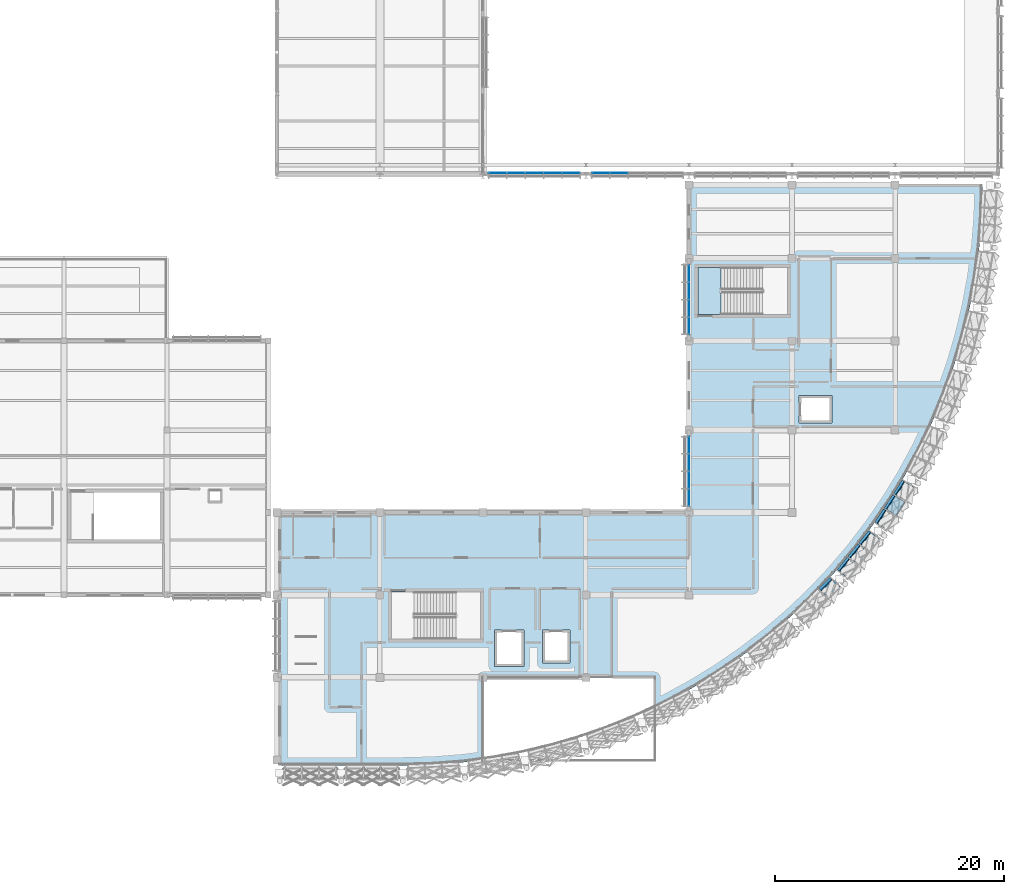
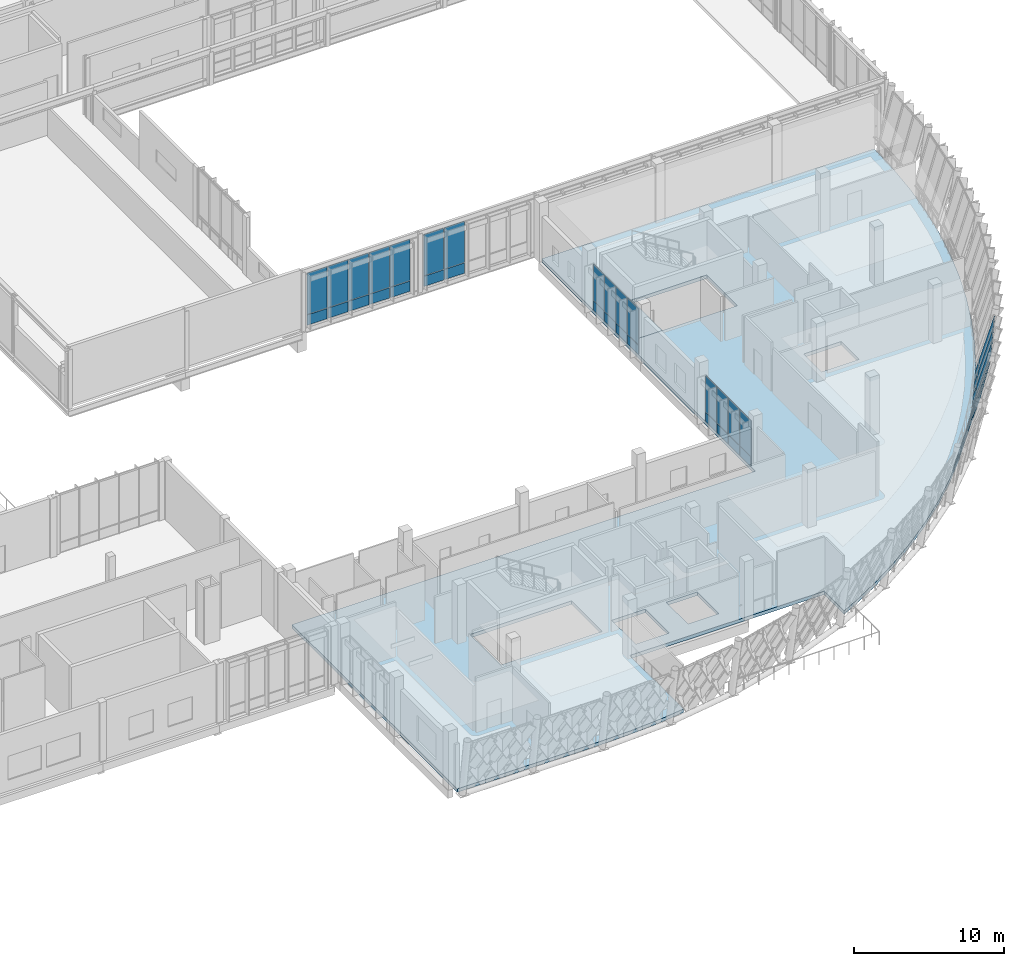
# One storey, part 139 of 177: 44 plates, 2 slabs, 7 elements without a shape of their own.
"""IFC4 building model written with IfcOpenShell, lengths in metres."""

from ifc_helpers import new_model, si_unit, direction, frame, origin, origin_2d, place, context, subcontext, project, spatial, polyline, rectangle, outline, extrude, material, layer, layer_set, type_object, element, aggregate, save


model = new_model("IFC4")

# Units and contexts
model_context = context("Model", 3, precision=1e-05, world=origin(), true_north=direction((0.0, 1.0)))
body_context = subcontext(model_context, "Body", "Model", "MODEL_VIEW")
ifc_project = project(units=[si_unit("LENGTHUNIT", "METRE"), si_unit("AREAUNIT", "SQUARE_METRE"), si_unit("VOLUMEUNIT", "CUBIC_METRE"), si_unit("PLANEANGLEUNIT", "RADIAN"), si_unit("MASSUNIT", "GRAM", prefix="KILO")], contexts=[model_context])

# Site, building, storey
site_placement = place(None, origin())
site = spatial("IfcSite", under=ifc_project, at=site_placement, CompositionType="ELEMENT")
building_placement = place(site_placement, origin())
building = spatial("IfcBuilding", under=site, at=building_placement, Name="Chiffa Square Polytechnic", CompositionType="ELEMENT")
storey_placement = place(building_placement, frame((0.0, 0.0, 4.800048828125)))
storey = spatial("IfcBuildingStorey", under=building, at=storey_placement, Name="L01", CompositionType="ELEMENT", Elevation=4.800048828125)

# Curtain wall, plates
ifc_material_1 = material(Name="Aluminium EN AW-6060 T66 and glulam shading", Category="wood")
curtain_wall_type_1 = type_object("IfcCurtainWallType", Name="CW-PROW-LEAN-300", PredefinedType="USERDEFINED", material=ifc_material_1)
curtain_wall_1_placement = place(storey_placement, origin())
curtain_wall_1 = element("IfcCurtainWall", 1, at=curtain_wall_1_placement, inside=storey, type_object=curtain_wall_type_1, Name="Outward-leaning diamond-fin prow curtain wall CW-V1-L01-021", ObjectType="CURTAIN WALL", PredefinedType="USERDEFINED")
ifc_material_2 = material(Name="Double glazing", Category="glass")
ifc_layer_1 = layer(ifc_material_2, 0.0439453125, Name="Double glazing")
ifc_layer_set_1 = layer_set([ifc_layer_1], Name="Double glazing")
plate_type_1 = type_object("IfcPlateType", Name="CWP-GLZ-132X114", PredefinedType="CURTAIN_PANEL", material=ifc_layer_set_1)
plate_1_placement = place(storey_placement, frame((164.63427734375, 27.84375, 0.8779296875), z_axis=(-0.806963297843, 0.524194215552, 0.272085759122), x_axis=(0.5447522944, 0.838597005125, 2.7229398e-05)))
plate_1 = element("IfcPlate", 2, at=plate_1_placement, type_object=plate_type_1, Name="Leaning prow curtain panel CW-V1-L01-021-PN01", PredefinedType="CURTAIN_PANEL", context=body_context, shape_type="SweptSolid", body=[
    extrude(outline(polyline([(0.0, 0.0), (1.3814975861701602, -2.7755575615628914e-17), (1.3626428683951688, -3.696551579918796), (-0.051565564155830315, -3.696630689892755), (0.0, 0.0)])), origin(), (0.0, 0.0, -1.0), 0.0439453125),
])
plate_2_placement = place(storey_placement, frame((165.4453125, 29.092041015625, 0.8779296875), z_axis=(-0.806949606169, 0.52423991286, 0.272038318749), x_axis=(0.544789235115, 0.838573007606, 1.4771034e-05)))
plate_2 = element("IfcPlate", 3, at=plate_2_placement, type_object=plate_type_1, Name="Leaning prow curtain panel CW-V1-L01-021-PN02", PredefinedType="CURTAIN_PANEL", context=body_context, shape_type="SweptSolid", body=[
    extrude(outline(polyline([(0.0, 0.0), (1.3814975910517366, -2.7755575615628914e-17), (1.3977895597719325, -3.696517157294697), (-0.016214135230024563, -3.6965600680581403), (0.0, 0.0)])), origin(), (0.0, 0.0, -1.0), 0.0439453125),
])
plate_3_placement = place(storey_placement, frame((166.25634765625, 30.34033203125, 0.8779296875), z_axis=(-0.806985792166, 0.524208827609, 0.271990875397), x_axis=(0.544752289898, 0.83859700805, 2.7220661e-05)))
plate_3 = element("IfcPlate", 4, at=plate_3_placement, type_object=plate_type_1, Name="Leaning prow curtain panel CW-V1-L01-021-PN03", PredefinedType="CURTAIN_PANEL", context=body_context, shape_type="SweptSolid", body=[
    extrude(outline(polyline([(0.0, 0.0), (1.3814975861697742, -5.551115123125783e-17), (1.4331409838168365, -3.6964465585866537), (0.018932551264671575, -3.6965256409728067), (0.0, 0.0)])), origin(), (0.0, 0.0, -1.0), 0.0439453125),
])

curtain_wall_type_2 = type_object("IfcCurtainWallType", Name="CW-PROW-LEAN-150", PredefinedType="USERDEFINED", material=ifc_material_1)
curtain_wall_2_placement = place(storey_placement, origin())
curtain_wall_2 = element("IfcCurtainWall", 5, at=curtain_wall_2_placement, inside=storey, type_object=curtain_wall_type_2, Name="Outward-leaning diamond-fin prow curtain wall CW-V1-L01-020", ObjectType="CURTAIN WALL", PredefinedType="USERDEFINED")
ifc_layer_2 = layer(ifc_material_2, 0.0439453125, Name="Double glazing")
ifc_layer_set_2 = layer_set([ifc_layer_2], Name="Double glazing")
plate_type_2 = type_object("IfcPlateType", Name="CWP-GLZ-134X118", PredefinedType="CURTAIN_PANEL", material=ifc_layer_set_2)
plate_4_placement = place(storey_placement, frame((161.3232421875, 23.673583984375, 0.8779296875), z_axis=(-0.74785835056, 0.605597205897, 0.271955716445), x_axis=(0.629306799885, 0.777156965969, -4.3175324e-05)))
plate_4 = element("IfcPlate", 6, at=plate_4_placement, type_object=plate_type_2, Name="Leaning prow curtain panel CW-V1-L01-020-PN01", PredefinedType="CURTAIN_PANEL", context=body_context, shape_type="SweptSolid", body=[
    extrude(outline(polyline([(0.0, 0.0), (1.3817565936740297, -2.7755575615628914e-17), (1.3626954840589298, -3.6965100692373536), (-0.05147348474182834, -3.696384626270429), (0.0, 0.0)])), origin(), (0.0, 0.0, -1.0), 0.0439453125),
])
plate_5_placement = place(storey_placement, frame((162.26025390625, 24.830810546875, 0.8779296875), z_axis=(-0.747893027723, 0.605541253682, 0.271984942914), x_axis=(0.629250059583, 0.777202907064, -6.1365355e-05)))
plate_5 = element("IfcPlate", 7, at=plate_5_placement, type_object=plate_type_2, Name="Leaning prow curtain panel CW-V1-L01-020-PN02", PredefinedType="CURTAIN_PANEL", context=body_context, shape_type="SweptSolid", body=[
    extrude(outline(polyline([(0.0, 0.0), (1.3816029785866726, 0.0), (1.3974455721293295, -3.6965697772265225), (-0.01672337365575362, -3.6963914926279777), (0.0, 0.0)])), origin(), (0.0, 0.0, -1.0), 0.0439453125),
])
plate_6_placement = place(storey_placement, frame((163.197021484375, 25.988037109375, 0.8779296875), z_axis=(-0.747918647892, 0.605493964353, 0.272019769993), x_axis=(0.629218410647, 0.777228532403, -1.1037333e-05)))
plate_6 = element("IfcPlate", 8, at=plate_6_placement, type_object=plate_type_2, Name="Leaning prow curtain panel CW-V1-L01-020-PN03", PredefinedType="CURTAIN_PANEL", context=body_context, shape_type="SweptSolid", body=[
    extrude(outline(polyline([(0.0, 0.0), (1.3817566099496996, 0.0), (1.4328152143280317, -3.696534904760729), (0.01861014604536337, -3.6965028355217493), (0.0, 0.0)])), origin(), (0.0, 0.0, -1.0), 0.0439453125),
])

# Curtain wall, plate
curtain_wall_3_placement = place(storey_placement, origin())
curtain_wall_3 = element("IfcCurtainWall", 9, at=curtain_wall_3_placement, inside=storey, type_object=curtain_wall_type_1, Name="Outward-leaning diamond-fin prow curtain wall CW-V1-L01-019", ObjectType="CURTAIN WALL", PredefinedType="USERDEFINED")
ifc_layer_3 = layer(ifc_material_2, 0.0419921875, Name="Double glazing")
ifc_layer_set_3 = layer_set([ifc_layer_3], Name="Double glazing")
plate_type_3 = type_object("IfcPlateType", Name="CWP-GLZ-136X122", PredefinedType="CURTAIN_PANEL", material=ifc_layer_set_3)
plate_7_placement = place(storey_placement, frame((159.69970703125, 21.97900390625, 0.8779296875), z_axis=(-0.680474325731, 0.680474325731, 0.271862803712), x_axis=(0.707113311058, 0.707100250499, 3.2690662e-05)))
plate_7 = element("IfcPlate", 10, at=plate_7_placement, type_object=plate_type_3, Name="Leaning prow curtain panel CW-V1-L01-019-PN03", PredefinedType="CURTAIN_PANEL", context=body_context, shape_type="SweptSolid", body=[
    extrude(outline(polyline([(0.0, 0.0), (1.3815858332766306, -8.326672684688674e-17), (1.4331561774769983, -3.6962994031816487), (0.018769984022787792, -3.6963943826636285), (0.0, 0.0)])), origin(), (0.0, 0.0, -1.0), 0.0419921875),
])

# Curtain wall, plates
curtain_wall_type_3 = type_object("IfcCurtainWallType", Name="CW-VERT-450X440", PredefinedType="USERDEFINED", material=ifc_material_1)
curtain_wall_4_placement = place(storey_placement, origin())
curtain_wall_4 = element("IfcCurtainWall", 11, at=curtain_wall_4_placement, inside=storey, type_object=curtain_wall_type_3, Name="Curtain wall CW-V1-L01-128", ObjectType="CURTAIN WALL", PredefinedType="USERDEFINED")
ifc_layer_4 = layer(ifc_material_2, 0.0400390625, Name="Double glazing")
ifc_layer_set_4 = layer_set([ifc_layer_4], Name="Double glazing")
plate_type_4 = type_object("IfcPlateType", Name="CWP-GLZ-144X134", PredefinedType="CURTAIN_PANEL", material=ifc_layer_set_4)
plate_8_placement = place(storey_placement, frame((148.199951171875, 34.68408203125, 0.84033203125), z_axis=(0.0, 0.0, 1.0), x_axis=(0.0, -1.0, 0.0)))
plate_8 = element("IfcPlate", 12, at=plate_8_placement, type_object=plate_type_4, Name="Glazed curtain panel CW-V1-L01-128-PN01", PredefinedType="CURTAIN_PANEL", context=body_context, shape_type="SweptSolid", body=[
    extrude(rectangle(XDim=1.4560546875, YDim=0.0400390625, at=origin_2d()), origin(), (0.0, 0.0, 1.0), 2.925048828125),
])
plate_9_placement = place(storey_placement, frame((148.199951171875, 33.1650390625, 0.84033203125), z_axis=(0.0, 0.0, 1.0), x_axis=(0.0, -1.0, 0.0)))
plate_9 = element("IfcPlate", 13, at=plate_9_placement, type_object=plate_type_4, Name="Glazed curtain panel CW-V1-L01-128-PN02", PredefinedType="CURTAIN_PANEL", context=body_context, shape_type="SweptSolid", body=[
    extrude(rectangle(XDim=1.47802734375, YDim=0.0400390625, at=origin_2d()), origin(), (0.0, 0.0, 1.0), 2.925048828125),
])
plate_10_placement = place(storey_placement, frame((148.199951171875, 31.635009765625, 0.84033203125), z_axis=(0.0, 0.0, 1.0), x_axis=(0.0, -1.0, 0.0)))
plate_10 = element("IfcPlate", 14, at=plate_10_placement, type_object=plate_type_4, Name="Glazed curtain panel CW-V1-L01-128-PN03", PredefinedType="CURTAIN_PANEL", context=body_context, shape_type="SweptSolid", body=[
    extrude(rectangle(XDim=1.47802734375, YDim=0.0400390625, at=origin_2d()), origin(), (0.0, 0.0, 1.0), 2.925048828125),
])
plate_11_placement = place(storey_placement, frame((148.199951171875, 30.115966796875, 0.84033203125), z_axis=(0.0, 0.0, 1.0), x_axis=(0.0, -1.0, 0.0)))
plate_11 = element("IfcPlate", 15, at=plate_11_placement, type_object=plate_type_4, Name="Glazed curtain panel CW-V1-L01-128-PN04", PredefinedType="CURTAIN_PANEL", context=body_context, shape_type="SweptSolid", body=[
    extrude(rectangle(XDim=1.4560546875, YDim=0.0400390625, at=origin_2d()), origin(), (0.0, 0.0, 1.0), 2.925048828125),
])

curtain_wall_type_4 = type_object("IfcCurtainWallType", Name="CW-VERT-540X440", PredefinedType="USERDEFINED", material=ifc_material_1)
curtain_wall_5_placement = place(storey_placement, origin())
curtain_wall_5 = element("IfcCurtainWall", 16, at=curtain_wall_5_placement, inside=storey, type_object=curtain_wall_type_4, Name="Curtain wall CW-V1-L01-127", ObjectType="CURTAIN WALL", PredefinedType="USERDEFINED")
ifc_layer_5 = layer(ifc_material_2, 0.0380859375, Name="Double glazing")
ifc_layer_set_5 = layer_set([ifc_layer_5], Name="Double glazing")
plate_type_5 = type_object("IfcPlateType", Name="CWP-GLZ-146X138", PredefinedType="CURTAIN_PANEL", material=ifc_layer_set_5)
plate_12_placement = place(storey_placement, frame((148.199951171875, 49.68408203125, 0.84033203125), z_axis=(0.0, 0.0, 1.0), x_axis=(0.0, -1.0, 0.0)))
plate_12 = element("IfcPlate", 17, at=plate_12_placement, type_object=plate_type_5, Name="Glazed curtain panel CW-V1-L01-127-PN01", PredefinedType="CURTAIN_PANEL", context=body_context, shape_type="SweptSolid", body=[
    extrude(rectangle(XDim=1.4560546875, YDim=0.0380859375, at=origin_2d()), origin(), (0.0, 0.0, 1.0), 2.925048828125),
])
plate_13_placement = place(storey_placement, frame((148.199951171875, 48.1650390625, 0.84033203125), z_axis=(0.0, 0.0, 1.0), x_axis=(0.0, -1.0, 0.0)))
plate_13 = element("IfcPlate", 18, at=plate_13_placement, type_object=plate_type_5, Name="Glazed curtain panel CW-V1-L01-127-PN02", PredefinedType="CURTAIN_PANEL", context=body_context, shape_type="SweptSolid", body=[
    extrude(rectangle(XDim=1.47802734375, YDim=0.0380859375, at=origin_2d()), origin(), (0.0, 0.0, 1.0), 2.925048828125),
])
plate_14_placement = place(storey_placement, frame((148.199951171875, 46.635009765625, 0.84033203125), z_axis=(0.0, 0.0, 1.0), x_axis=(0.0, -1.0, 0.0)))
plate_14 = element("IfcPlate", 19, at=plate_14_placement, type_object=plate_type_5, Name="Glazed curtain panel CW-V1-L01-127-PN03", PredefinedType="CURTAIN_PANEL", context=body_context, shape_type="SweptSolid", body=[
    extrude(rectangle(XDim=1.47802734375, YDim=0.0380859375, at=origin_2d()), origin(), (0.0, 0.0, 1.0), 2.925048828125),
])
plate_15_placement = place(storey_placement, frame((148.199951171875, 45.115966796875, 0.84033203125), z_axis=(0.0, 0.0, 1.0), x_axis=(0.0, -1.0, 0.0)))
plate_15 = element("IfcPlate", 20, at=plate_15_placement, type_object=plate_type_5, Name="Glazed curtain panel CW-V1-L01-127-PN04", PredefinedType="CURTAIN_PANEL", context=body_context, shape_type="SweptSolid", body=[
    extrude(rectangle(XDim=1.4560546875, YDim=0.0380859375, at=origin_2d()), origin(), (0.0, 0.0, 1.0), 2.925048828125),
])

curtain_wall_type_5 = type_object("IfcCurtainWallType", Name="CW-VERT-600X440", PredefinedType="USERDEFINED", material=ifc_material_1)
curtain_wall_6_placement = place(storey_placement, origin())
curtain_wall_6 = element("IfcCurtainWall", 21, at=curtain_wall_6_placement, inside=storey, type_object=curtain_wall_type_5, Name="Curtain wall CW-V2-L01S-01", ObjectType="CURTAIN WALL", PredefinedType="USERDEFINED")
ifc_layer_6 = layer(ifc_material_2, 0.035888671875, Name="Double glazing")
ifc_layer_set_6 = layer_set([ifc_layer_6], Name="Double glazing")
plate_type_6 = type_object("IfcPlateType", Name="CWP-GLZ-150X145", PredefinedType="CURTAIN_PANEL", material=ifc_layer_set_6)
plate_16_placement = place(storey_placement, frame((131.4951171875, 58.449951171875, 0.91943359375), z_axis=(0.0, 0.0, 1.0), x_axis=(1.0, 0.0, 0.0)))
plate_16 = element("IfcPlate", 22, at=plate_16_placement, type_object=plate_type_6, Name="Glazed curtain panel CW-V2-L01S-01-PN01", PredefinedType="CURTAIN_PANEL", context=body_context, shape_type="SweptSolid", body=[
    extrude(rectangle(XDim=1.533935546875, YDim=0.035888671875, at=origin_2d()), origin(), (0.0, 0.0, 1.0), 3.364990234375),
])
plate_17_placement = place(storey_placement, frame((133.092041015625, 58.449951171875, 0.91943359375), z_axis=(0.0, 0.0, 1.0), x_axis=(1.0, 0.0, 0.0)))
plate_17 = element("IfcPlate", 23, at=plate_17_placement, type_object=plate_type_6, Name="Glazed curtain panel CW-V2-L01S-01-PN02", PredefinedType="CURTAIN_PANEL", context=body_context, shape_type="SweptSolid", body=[
    extrude(rectangle(XDim=1.555908203125, YDim=0.035888671875, at=origin_2d()), origin(), (0.0, 0.0, 1.0), 3.364990234375),
])
plate_18_placement = place(storey_placement, frame((134.699951171875, 58.449951171875, 0.91943359375), z_axis=(0.0, 0.0, 1.0), x_axis=(1.0, 0.0, 0.0)))
plate_18 = element("IfcPlate", 24, at=plate_18_placement, type_object=plate_type_6, Name="Glazed curtain panel CW-V2-L01S-01-PN03", PredefinedType="CURTAIN_PANEL", context=body_context, shape_type="SweptSolid", body=[
    extrude(rectangle(XDim=1.555908203125, YDim=0.035888671875, at=origin_2d()), origin(), (0.0, 0.0, 1.0), 3.364990234375),
])
plate_19_placement = place(storey_placement, frame((136.30810546875, 58.449951171875, 0.91943359375), z_axis=(0.0, 0.0, 1.0), x_axis=(1.0, 0.0, 0.0)))
plate_19 = element("IfcPlate", 25, at=plate_19_placement, type_object=plate_type_6, Name="Glazed curtain panel CW-V2-L01S-01-PN04", PredefinedType="CURTAIN_PANEL", context=body_context, shape_type="SweptSolid", body=[
    extrude(rectangle(XDim=1.555908203125, YDim=0.035888671875, at=origin_2d()), origin(), (0.0, 0.0, 1.0), 3.364990234375),
])
plate_20_placement = place(storey_placement, frame((137.905029296875, 58.449951171875, 0.91943359375), z_axis=(0.0, 0.0, 1.0), x_axis=(1.0, 0.0, 0.0)))
plate_20 = element("IfcPlate", 26, at=plate_20_placement, type_object=plate_type_6, Name="Glazed curtain panel CW-V2-L01S-01-PN05", PredefinedType="CURTAIN_PANEL", context=body_context, shape_type="SweptSolid", body=[
    extrude(rectangle(XDim=1.533935546875, YDim=0.035888671875, at=origin_2d()), origin(), (0.0, 0.0, 1.0), 3.364990234375),
])

curtain_wall_type_6 = type_object("IfcCurtainWallType", Name="CW-VERT-450X380", PredefinedType="USERDEFINED", material=ifc_material_1)
curtain_wall_7_placement = place(storey_placement, origin())
curtain_wall_7 = element("IfcCurtainWall", 27, at=curtain_wall_7_placement, inside=storey, type_object=curtain_wall_type_6, Name="Curtain wall CW-V2-L01S-02", ObjectType="CURTAIN WALL", PredefinedType="USERDEFINED")
plate_21_placement = place(storey_placement, frame((140.4951171875, 58.449951171875, 0.91943359375), z_axis=(0.0, 0.0, 1.0), x_axis=(1.0, 0.0, 0.0)))
plate_21 = element("IfcPlate", 28, at=plate_21_placement, type_object=plate_type_6, Name="Glazed curtain panel CW-V2-L01S-02-PN01", PredefinedType="CURTAIN_PANEL", context=body_context, shape_type="SweptSolid", body=[
    extrude(rectangle(XDim=1.533935546875, YDim=0.035888671875, at=origin_2d()), origin(), (0.0, 0.0, 1.0), 3.364990234375),
])
plate_22_placement = place(storey_placement, frame((142.092041015625, 58.449951171875, 0.91943359375), z_axis=(0.0, 0.0, 1.0), x_axis=(1.0, 0.0, 0.0)))
plate_22 = element("IfcPlate", 29, at=plate_22_placement, type_object=plate_type_6, Name="Glazed curtain panel CW-V2-L01S-02-PN02", PredefinedType="CURTAIN_PANEL", context=body_context, shape_type="SweptSolid", body=[
    extrude(rectangle(XDim=1.555908203125, YDim=0.035888671875, at=origin_2d()), origin(), (0.0, 0.0, 1.0), 3.364990234375),
])

# Plate
ifc_material_3 = material(Name="Aluminium insulated spandrel", Category="aluminium")
ifc_layer_7 = layer(ifc_material_3, 0.072021484375, Name="Aluminium insulated spandrel")
ifc_layer_set_7 = layer_set([ifc_layer_7], Name="Aluminium insulated spandrel")
plate_type_7 = type_object("IfcPlateType", Name="CWP-SPN-136X072", PredefinedType="SHEET", material=ifc_layer_set_7)
plate_23_placement = place(storey_placement, frame((164.444580078125, 27.9814453125, 0.050048828125), z_axis=(-0.806907830778, 0.524349365144, 0.271951274867), x_axis=(0.544886679176, 0.838509693942, 4.789933e-06)))
plate_23 = element("IfcPlate", 30, at=plate_23_placement, type_object=plate_type_7, Name="Leaning prow curtain panel CW-V1-L01-021-SP01", PredefinedType="SHEET", context=body_context, shape_type="SweptSolid", body=[
    extrude(outline(polyline([(0.0, 0.0), (1.3737088121017773, 2.7755575615628914e-17), (1.3695920962069956, -0.8022002013118522), (-0.011363036503998178, -0.8022139127385742), (0.0, 0.0)])), origin(), (0.0, 0.0, -1.0), 0.072021484375),
])

plate_24_placement = place(storey_placement, frame((165.251220703125, 29.222900390625, 0.050048828125), z_axis=(-0.806912937644, 0.524267395381, 0.272094118283), x_axis=(0.544819722877, 0.838553200069, -1.4770682e-05)))
plate_24 = element("IfcPlate", 31, at=plate_24_placement, type_object=plate_type_7, Name="Leaning prow curtain panel CW-V1-L01-021-SP02", PredefinedType="SHEET", context=body_context, shape_type="SweptSolid", body=[
    extrude(outline(polyline([(0.0, 0.0), (1.3735757931015176, 2.7755575615628914e-17), (1.3771436336807985, -0.8022618201370069), (-0.003811496649877828, -0.8022195385820637), (0.0, 0.0)])), origin(), (0.0, 0.0, -1.0), 0.072021484375),
])

plate_25_placement = place(storey_placement, frame((166.0576171875, 30.464111328125, 0.050048828125), z_axis=(-0.806883519726, 0.524278152534, 0.272160622374), x_axis=(0.544843175012, 0.838537962516, -7.918357e-06)))
plate_25 = element("IfcPlate", 32, at=plate_25_placement, type_object=plate_type_7, Name="Leaning prow curtain panel CW-V1-L01-021-SP03", PredefinedType="SHEET", context=body_context, shape_type="SweptSolid", body=[
    extrude(outline(polyline([(0.0, 0.0), (1.3739135301999106, 2.7755575615628914e-17), (1.3850768304001682, -0.8022677588486549), (0.00412169817375108, -0.8022450890730286), (0.0, 0.0)])), origin(), (0.0, 0.0, -1.0), 0.072021484375),
])

aggregate(curtain_wall_1, [plate_23, plate_1, plate_24, plate_2, plate_25, plate_3])

ifc_layer_8 = layer(ifc_material_3, 0.070068359375, Name="Aluminium insulated spandrel")
ifc_layer_set_8 = layer_set([ifc_layer_8], Name="Aluminium insulated spandrel")
plate_type_8 = type_object("IfcPlateType", Name="CWP-SPN-138X074", PredefinedType="SHEET", material=ifc_layer_set_8)
plate_26_placement = place(storey_placement, frame((161.149169921875, 23.830078125, 0.050048828125), z_axis=(-0.748010451386, 0.605451067513, 0.2718627769), x_axis=(0.629145730988, 0.777287365864, -6.927036e-06)))
plate_26 = element("IfcPlate", 33, at=plate_26_placement, type_object=plate_type_8, Name="Leaning prow curtain panel CW-V1-L01-020-SP01", PredefinedType="SHEET", context=body_context, shape_type="SweptSolid", body=[
    extrude(outline(polyline([(0.0, 0.0), (1.3741301902057939, 2.7755575615628914e-17), (1.3700709961959443, -0.8021960359417644), (-0.01134224535351188, -0.8021762011355038), (0.0, 0.0)])), origin(), (0.0, 0.0, -1.0), 0.070068359375),
])

plate_27_placement = place(storey_placement, frame((162.080810546875, 24.98095703125, 0.050048828125), z_axis=(-0.747982831289, 0.605428711385, 0.2719885283), x_axis=(0.629139302683, 0.777292568156, -3.6181717e-05)))
plate_27 = element("IfcPlate", 34, at=plate_27_placement, type_object=plate_type_8, Name="Leaning prow curtain panel CW-V1-L01-020-SP02", PredefinedType="SHEET", context=body_context, shape_type="SweptSolid", body=[
    extrude(outline(polyline([(0.0, 0.0), (1.374319958264362, -5.551115123125783e-17), (1.3776730258617118, -0.8022675955181264), (-0.0035504457528090926, -0.8021639893240384), (0.0, 0.0)])), origin(), (0.0, 0.0, -1.0), 0.070068359375),
])

plate_28_placement = place(storey_placement, frame((163.01220703125, 26.132080078125, 0.050048828125), z_axis=(-0.747955200461, 0.605406346572, 0.272114265768), x_axis=(0.629153675524, 0.777280934875, 2.9224688e-05)))
plate_28 = element("IfcPlate", 35, at=plate_28_placement, type_object=plate_type_8, Name="Leaning prow curtain panel CW-V1-L01-020-SP03", PredefinedType="SHEET", context=body_context, shape_type="SweptSolid", body=[
    extrude(outline(polyline([(0.0, 0.0), (1.374283791207342, 0.0), (1.385353972649539, -0.8022033570382994), (0.004094333301074013, -0.8022870449008277), (0.0, 0.0)])), origin(), (0.0, 0.0, -1.0), 0.070068359375),
])

aggregate(curtain_wall_2, [plate_26, plate_4, plate_27, plate_5, plate_28, plate_6])

ifc_layer_9 = layer(ifc_material_3, 0.068115234375, Name="Aluminium insulated spandrel")
ifc_layer_set_9 = layer_set([ifc_layer_9], Name="Aluminium insulated spandrel")
plate_type_9 = type_object("IfcPlateType", Name="CWP-SPN-140X076", PredefinedType="SHEET", material=ifc_layer_set_9)
plate_29_placement = place(storey_placement, frame((159.53125, 22.14111328125, 0.050048828125), z_axis=(-0.68048550594, 0.68048550594, 0.271806829223), x_axis=(0.707100217097, 0.707113344452, -3.2865159e-05)))
plate_29 = element("IfcPlate", 36, at=plate_29_placement, type_object=plate_type_9, Name="Leaning prow curtain panel CW-V1-L01-019-SP03", PredefinedType="SHEET", context=body_context, shape_type="SweptSolid", body=[
    extrude(outline(polyline([(0.0, 0.0), (1.37398995965468, -2.7755575615628914e-17), (1.3853563735732413, -0.8022203121447417), (0.00411581048468357, -0.8021262186063368), (0.0, 0.0)])), origin(), (0.0, 0.0, -1.0), 0.068115234375),
])

aggregate(curtain_wall_3, [plate_29, plate_7])

ifc_layer_10 = layer(ifc_material_3, 0.06201171875, Name="Aluminium insulated spandrel")
ifc_layer_set_10 = layer_set([ifc_layer_10], Name="Aluminium insulated spandrel")
plate_type_10 = type_object("IfcPlateType", Name="CWP-SPN-148X084", PredefinedType="SHEET", material=ifc_layer_set_10)
plate_30_placement = place(storey_placement, frame((148.199951171875, 34.68408203125, 0.050048828125), z_axis=(0.0, 0.0, 1.0), x_axis=(0.0, -1.0, 0.0)))
plate_30 = element("IfcPlate", 37, at=plate_30_placement, type_object=plate_type_10, Name="Spandrel panel CW-V1-L01-128-SP01", PredefinedType="SHEET", context=body_context, shape_type="SweptSolid", body=[
    extrude(rectangle(XDim=1.4560546875, YDim=0.06201171875, at=origin_2d()), origin(), (0.0, 0.0, 1.0), 0.75),
])

plate_31_placement = place(storey_placement, frame((148.199951171875, 33.1650390625, 0.050048828125), z_axis=(0.0, 0.0, 1.0), x_axis=(0.0, -1.0, 0.0)))
plate_31 = element("IfcPlate", 38, at=plate_31_placement, type_object=plate_type_10, Name="Spandrel panel CW-V1-L01-128-SP02", PredefinedType="SHEET", context=body_context, shape_type="SweptSolid", body=[
    extrude(rectangle(XDim=1.47802734375, YDim=0.06201171875, at=origin_2d()), origin(), (0.0, 0.0, 1.0), 0.75),
])

plate_32_placement = place(storey_placement, frame((148.199951171875, 31.635009765625, 0.050048828125), z_axis=(0.0, 0.0, 1.0), x_axis=(0.0, -1.0, 0.0)))
plate_32 = element("IfcPlate", 39, at=plate_32_placement, type_object=plate_type_10, Name="Spandrel panel CW-V1-L01-128-SP03", PredefinedType="SHEET", context=body_context, shape_type="SweptSolid", body=[
    extrude(rectangle(XDim=1.47802734375, YDim=0.06201171875, at=origin_2d()), origin(), (0.0, 0.0, 1.0), 0.75),
])

plate_33_placement = place(storey_placement, frame((148.199951171875, 30.115966796875, 0.050048828125), z_axis=(0.0, 0.0, 1.0), x_axis=(0.0, -1.0, 0.0)))
plate_33 = element("IfcPlate", 40, at=plate_33_placement, type_object=plate_type_10, Name="Spandrel panel CW-V1-L01-128-SP04", PredefinedType="SHEET", context=body_context, shape_type="SweptSolid", body=[
    extrude(rectangle(XDim=1.4560546875, YDim=0.06201171875, at=origin_2d()), origin(), (0.0, 0.0, 1.0), 0.75),
])

aggregate(curtain_wall_4, [plate_30, plate_8, plate_31, plate_9, plate_32, plate_10, plate_33, plate_11])

ifc_layer_11 = layer(ifc_material_3, 0.06005859375, Name="Aluminium insulated spandrel")
ifc_layer_set_11 = layer_set([ifc_layer_11], Name="Aluminium insulated spandrel")
plate_type_11 = type_object("IfcPlateType", Name="CWP-SPN-150X080", PredefinedType="SHEET", material=ifc_layer_set_11)
plate_34_placement = place(storey_placement, frame((148.199951171875, 49.68408203125, 0.050048828125), z_axis=(0.0, 0.0, 1.0), x_axis=(0.0, -1.0, 0.0)))
plate_34 = element("IfcPlate", 41, at=plate_34_placement, type_object=plate_type_11, Name="Spandrel panel CW-V1-L01-127-SP01", PredefinedType="SHEET", context=body_context, shape_type="SweptSolid", body=[
    extrude(rectangle(XDim=1.4560546875, YDim=0.06005859375, at=origin_2d()), origin(), (0.0, 0.0, 1.0), 0.75),
])

plate_35_placement = place(storey_placement, frame((148.199951171875, 48.1650390625, 0.050048828125), z_axis=(0.0, 0.0, 1.0), x_axis=(0.0, -1.0, 0.0)))
plate_35 = element("IfcPlate", 42, at=plate_35_placement, type_object=plate_type_11, Name="Spandrel panel CW-V1-L01-127-SP02", PredefinedType="SHEET", context=body_context, shape_type="SweptSolid", body=[
    extrude(rectangle(XDim=1.47802734375, YDim=0.06005859375, at=origin_2d()), origin(), (0.0, 0.0, 1.0), 0.75),
])

plate_36_placement = place(storey_placement, frame((148.199951171875, 46.635009765625, 0.050048828125), z_axis=(0.0, 0.0, 1.0), x_axis=(0.0, -1.0, 0.0)))
plate_36 = element("IfcPlate", 43, at=plate_36_placement, type_object=plate_type_11, Name="Spandrel panel CW-V1-L01-127-SP03", PredefinedType="SHEET", context=body_context, shape_type="SweptSolid", body=[
    extrude(rectangle(XDim=1.47802734375, YDim=0.06005859375, at=origin_2d()), origin(), (0.0, 0.0, 1.0), 0.75),
])

plate_37_placement = place(storey_placement, frame((148.199951171875, 45.115966796875, 0.050048828125), z_axis=(0.0, 0.0, 1.0), x_axis=(0.0, -1.0, 0.0)))
plate_37 = element("IfcPlate", 44, at=plate_37_placement, type_object=plate_type_11, Name="Spandrel panel CW-V1-L01-127-SP04", PredefinedType="SHEET", context=body_context, shape_type="SweptSolid", body=[
    extrude(rectangle(XDim=1.4560546875, YDim=0.06005859375, at=origin_2d()), origin(), (0.0, 0.0, 1.0), 0.75),
])

aggregate(curtain_wall_5, [plate_34, plate_12, plate_35, plate_13, plate_36, plate_14, plate_37, plate_15])

ifc_layer_12 = layer(ifc_material_3, 0.06005859375, Name="Aluminium insulated spandrel")
ifc_layer_set_12 = layer_set([ifc_layer_12], Name="Aluminium insulated spandrel")
plate_type_12 = type_object("IfcPlateType", Name="CWP-SPN-150X095", PredefinedType="SHEET", material=ifc_layer_set_12)
plate_38_placement = place(storey_placement, frame((131.4951171875, 58.449951171875, 0.0498046875), z_axis=(0.0, 0.0, 1.0), x_axis=(1.0, 0.0, 0.0)))
plate_38 = element("IfcPlate", 45, at=plate_38_placement, type_object=plate_type_12, Name="Spandrel panel CW-V2-L01S-01-SP01", PredefinedType="SHEET", context=body_context, shape_type="SweptSolid", body=[
    extrude(rectangle(XDim=1.533935546875, YDim=0.06005859375, at=origin_2d()), origin(), (0.0, 0.0, 1.0), 0.830078125),
])

plate_39_placement = place(storey_placement, frame((133.092041015625, 58.449951171875, 0.0498046875), z_axis=(0.0, 0.0, 1.0), x_axis=(1.0, 0.0, 0.0)))
plate_39 = element("IfcPlate", 46, at=plate_39_placement, type_object=plate_type_12, Name="Spandrel panel CW-V2-L01S-01-SP02", PredefinedType="SHEET", context=body_context, shape_type="SweptSolid", body=[
    extrude(rectangle(XDim=1.555908203125, YDim=0.06005859375, at=origin_2d()), origin(), (0.0, 0.0, 1.0), 0.830078125),
])

plate_40_placement = place(storey_placement, frame((134.699951171875, 58.449951171875, 0.0498046875), z_axis=(0.0, 0.0, 1.0), x_axis=(1.0, 0.0, 0.0)))
plate_40 = element("IfcPlate", 47, at=plate_40_placement, type_object=plate_type_12, Name="Spandrel panel CW-V2-L01S-01-SP03", PredefinedType="SHEET", context=body_context, shape_type="SweptSolid", body=[
    extrude(rectangle(XDim=1.555908203125, YDim=0.06005859375, at=origin_2d()), origin(), (0.0, 0.0, 1.0), 0.830078125),
])

plate_41_placement = place(storey_placement, frame((136.30810546875, 58.449951171875, 0.0498046875), z_axis=(0.0, 0.0, 1.0), x_axis=(1.0, 0.0, 0.0)))
plate_41 = element("IfcPlate", 48, at=plate_41_placement, type_object=plate_type_12, Name="Spandrel panel CW-V2-L01S-01-SP04", PredefinedType="SHEET", context=body_context, shape_type="SweptSolid", body=[
    extrude(rectangle(XDim=1.555908203125, YDim=0.06005859375, at=origin_2d()), origin(), (0.0, 0.0, 1.0), 0.830078125),
])

plate_42_placement = place(storey_placement, frame((137.905029296875, 58.449951171875, 0.0498046875), z_axis=(0.0, 0.0, 1.0), x_axis=(1.0, 0.0, 0.0)))
plate_42 = element("IfcPlate", 49, at=plate_42_placement, type_object=plate_type_12, Name="Spandrel panel CW-V2-L01S-01-SP05", PredefinedType="SHEET", context=body_context, shape_type="SweptSolid", body=[
    extrude(rectangle(XDim=1.533935546875, YDim=0.06005859375, at=origin_2d()), origin(), (0.0, 0.0, 1.0), 0.830078125),
])

aggregate(curtain_wall_6, [plate_38, plate_16, plate_39, plate_17, plate_40, plate_18, plate_41, plate_19, plate_42, plate_20])

plate_43_placement = place(storey_placement, frame((140.4951171875, 58.449951171875, 0.0498046875), z_axis=(0.0, 0.0, 1.0), x_axis=(1.0, 0.0, 0.0)))
plate_43 = element("IfcPlate", 50, at=plate_43_placement, type_object=plate_type_12, Name="Spandrel panel CW-V2-L01S-02-SP01", PredefinedType="SHEET", context=body_context, shape_type="SweptSolid", body=[
    extrude(rectangle(XDim=1.533935546875, YDim=0.06005859375, at=origin_2d()), origin(), (0.0, 0.0, 1.0), 0.830078125),
])

plate_44_placement = place(storey_placement, frame((142.092041015625, 58.449951171875, 0.0498046875), z_axis=(0.0, 0.0, 1.0), x_axis=(1.0, 0.0, 0.0)))
plate_44 = element("IfcPlate", 51, at=plate_44_placement, type_object=plate_type_12, Name="Spandrel panel CW-V2-L01S-02-SP02", PredefinedType="SHEET", context=body_context, shape_type="SweptSolid", body=[
    extrude(rectangle(XDim=1.555908203125, YDim=0.06005859375, at=origin_2d()), origin(), (0.0, 0.0, 1.0), 0.830078125),
])

aggregate(curtain_wall_7, [plate_43, plate_21, plate_44, plate_22])

# Slabs
ifc_material_4 = material(Name="Concrete C35/45", Category="concrete")
ifc_layer_13 = layer(ifc_material_4, 0.280029296875, Name="Concrete C35/45")
ifc_layer_set_13 = layer_set([ifc_layer_13], Name="Concrete C35/45")
slab_type_1 = type_object("IfcSlabType", Name="SLB-FLR-280", PredefinedType="FLOOR", material=ifc_layer_set_13)
slab_1_placement = place(storey_placement, frame((0.0, 0.0, -0.280029296875)))
element("IfcSlab", 52, at=slab_1_placement, inside=storey, type_object=slab_type_1, Name="V1 L01 structural slab SLB-V1-L01-003", PredefinedType="FLOOR", context=body_context, shape_type="SweptSolid", body=[
    extrude(outline(polyline([(148.199951171875, 28.800048828125), (148.199951171875, 57.35009765625), (173.842041015625, 57.35009765625), (173.77197265625, 54.699951171875), (173.56396484375, 52.055908203125), (173.218017578125, 49.427978515625), (172.735107421875, 46.821044921875), (172.115966796875, 44.242919921875), (171.363037109375, 41.700927734375), (170.47802734375, 39.201904296875), (169.464111328125, 36.751953125), (168.322021484375, 34.35888671875), (167.056884765625, 32.029052734375), (165.672119140625, 29.76904296875), (164.169921875, 27.583984375), (162.555908203125, 25.47998046875), (160.833984375, 23.464111328125), (159.009033203125, 21.541015625), (157.0859375, 19.716064453125), (155.070068359375, 17.993896484375), (152.966064453125, 16.3798828125), (150.781005859375, 14.8779296875), (148.52099609375, 13.492919921875), (146.19091796875, 12.22802734375), (145.199951171875, 11.7548828125), (145.199951171875, 14.39990234375), (130.199951171875, 14.39990234375), (130.199951171875, 7.2109375), (128.493896484375, 6.986083984375), (125.85009765625, 6.778076171875), (123.199951171875, 6.7080078125), (120.512939453125, 6.7080078125), (117.824951171875, 6.7080078125), (115.137939453125, 6.7080078125), (112.449951171875, 6.7080078125), (112.449951171875, 28.800048828125), (148.199951171875, 28.800048828125)]), holes=[polyline([(122.199951171875, 21.85009765625), (130.0, 21.85009765625), (130.0, 17.75), (122.199951171875, 17.75), (122.199951171875, 21.85009765625)]), polyline([(149.0, 50.199951171875), (156.800048828125, 50.199951171875), (156.800048828125, 46.10009765625), (149.0, 46.10009765625), (149.0, 50.199951171875)]), polyline([(131.199951171875, 18.550048828125), (133.800048828125, 18.550048828125), (133.800048828125, 15.35009765625), (131.199951171875, 15.35009765625), (131.199951171875, 18.550048828125)]), polyline([(135.39990234375, 18.550048828125), (137.800048828125, 18.550048828125), (137.800048828125, 15.64990234375), (135.39990234375, 15.64990234375), (135.39990234375, 18.550048828125)]), polyline([(157.800048828125, 39.0), (160.699951171875, 39.0), (160.699951171875, 36.60009765625), (157.800048828125, 36.60009765625), (157.800048828125, 39.0)])]), origin(), (0.0, 0.0, 1.0), 0.280029296875),
])
ifc_material_5 = material(Name="Concrete C40/50", Category="concrete")
ifc_layer_14 = layer(ifc_material_5, 0.35009765625, Name="Concrete C40/50")
ifc_layer_set_14 = layer_set([ifc_layer_14], Name="Concrete C40/50")
slab_type_2 = type_object("IfcSlabType", Name="SLB-FLR-350", PredefinedType="FLOOR", material=ifc_layer_set_14)
slab_2_placement = place(storey_placement, frame((0.0, 0.0, -0.35009765625)))
element("IfcSlab", 53, at=slab_2_placement, inside=storey, type_object=slab_type_2, Name="Stair core floor landing slab SLB-CORE-CORE-V1B-L01", PredefinedType="FLOOR", context=body_context, shape_type="SweptSolid", body=[
    extrude(outline(polyline([(149.0, 46.10009765625), (151.011962890625, 46.10009765625), (151.011962890625, 50.199951171875), (149.0, 50.199951171875), (149.0, 46.10009765625)])), origin(), (0.0, 0.0, 1.0), 0.35009765625),
])

save(model, "model.ifc")
